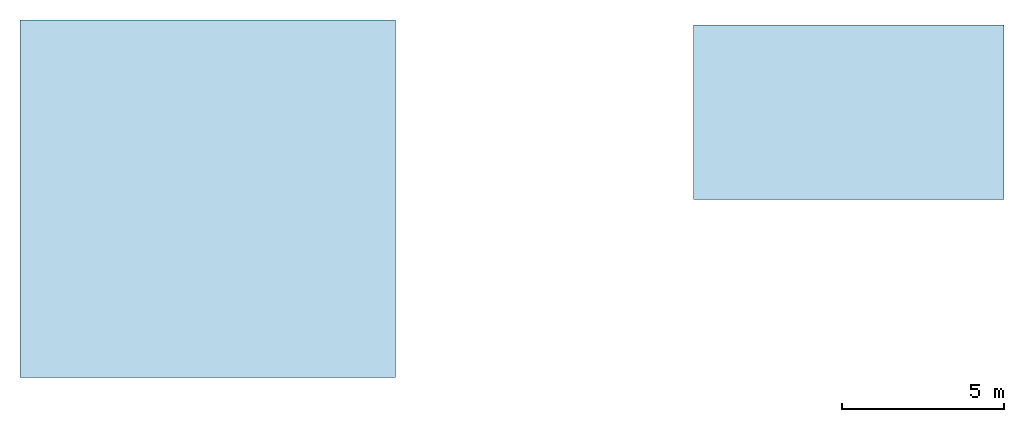
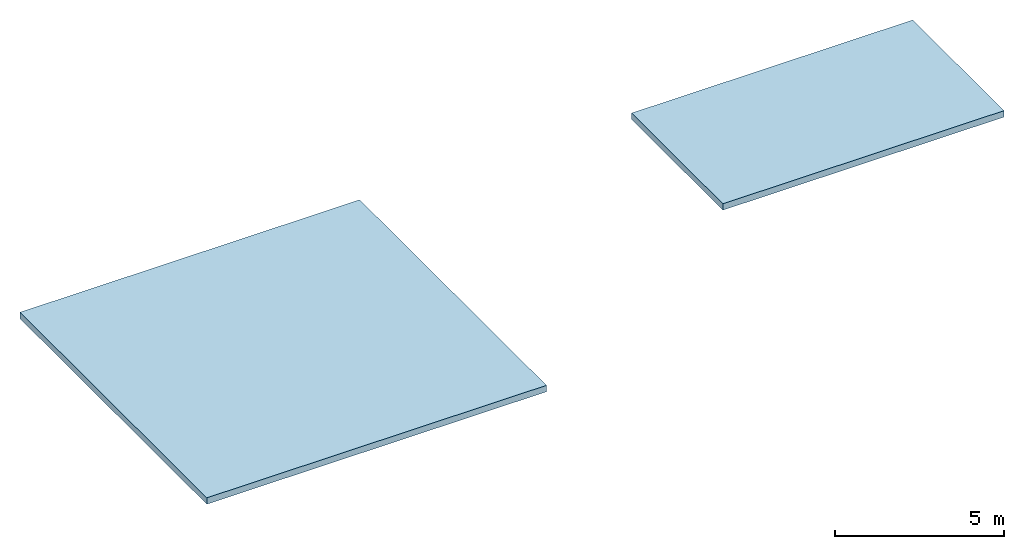
# One storey: 2 slabs.
"""IFC4 building model written with IfcOpenShell, lengths in metres."""

from ifc_helpers import new_model, si_unit, derived_unit, direction, frame, origin, place, context, subcontext, project, spatial, polyline, outline, extrude, material, layer, layer_set, type_object, element, save


model = new_model("IFC4")

# Units and contexts
model_context = context("Model", 3, precision=1e-05, world=origin(), true_north=direction((0.0, 1.0)))
body_context = subcontext(model_context, "Body", "Model", "MODEL_VIEW")
ifc_project = project(units=[si_unit("LENGTHUNIT", "METRE"), si_unit("AREAUNIT", "SQUARE_METRE"), si_unit("VOLUMEUNIT", "CUBIC_METRE"), si_unit("PLANEANGLEUNIT", "RADIAN"), si_unit("MASSUNIT", "GRAM", prefix="KILO"), derived_unit("THERMALTRANSMITTANCEUNIT", [(si_unit("POWERUNIT", "WATT"), 1), (si_unit("LENGTHUNIT", "METRE"), -2), (si_unit("THERMODYNAMICTEMPERATUREUNIT", "KELVIN"), -1)])], contexts=[model_context])

# Site, building, storey
site_placement = place(None, origin())
site = spatial("IfcSite", under=ifc_project, at=site_placement, CompositionType="ELEMENT")
building_placement = place(site_placement, origin())
building = spatial("IfcBuilding", under=site, at=building_placement, Name="Keldorne Ridge Multi-Sports Centre", CompositionType="ELEMENT")
storey_placement = place(building_placement, frame((0.0, 0.0, 25.60009765625)))
storey = spatial("IfcBuildingStorey", under=building, at=storey_placement, Name="UPPER ROOF", CompositionType="ELEMENT", Elevation=25.60009765625)

# Slabs
ifc_material = material(Name="Concrete C35/45", Category="concrete")
ifc_layer = layer(ifc_material, 0.22998046875)
ifc_layer_set = layer_set([ifc_layer], Name="Concrete C35/45")
slab_type = type_object("IfcSlabType", Name="SLB-SL-R01", PredefinedType="ROOF", material=ifc_layer_set)
slab_1_placement = place(storey_placement, origin())
element("IfcSlab", 1, at=slab_1_placement, inside=storey, type_object=slab_type, Name="Top Core C1 stair and lift headhouse roof", PredefinedType="ROOF", context=body_context, shape_type="SweptSolid", body=[
    extrude(outline(polyline([(104.800048828125, 105.800048828125), (116.39990234375, 105.800048828125), (116.39990234375, 116.85009765625), (104.800048828125, 116.85009765625), (104.800048828125, 105.800048828125)])), origin(), (0.0, 0.0, 1.0), 0.22998046875),
])
slab_2_placement = place(storey_placement, origin())
element("IfcSlab", 2, at=slab_2_placement, inside=storey, type_object=slab_type, Name="Top Stair ST-10 maintenance headhouse roof", PredefinedType="ROOF", context=body_context, shape_type="SweptSolid", body=[
    extrude(outline(polyline([(125.60009765625, 111.300048828125), (135.199951171875, 111.300048828125), (135.199951171875, 116.699951171875), (125.60009765625, 116.699951171875), (125.60009765625, 111.300048828125)])), origin(), (0.0, 0.0, 1.0), 0.22998046875),
])

save(model, "model.ifc")
